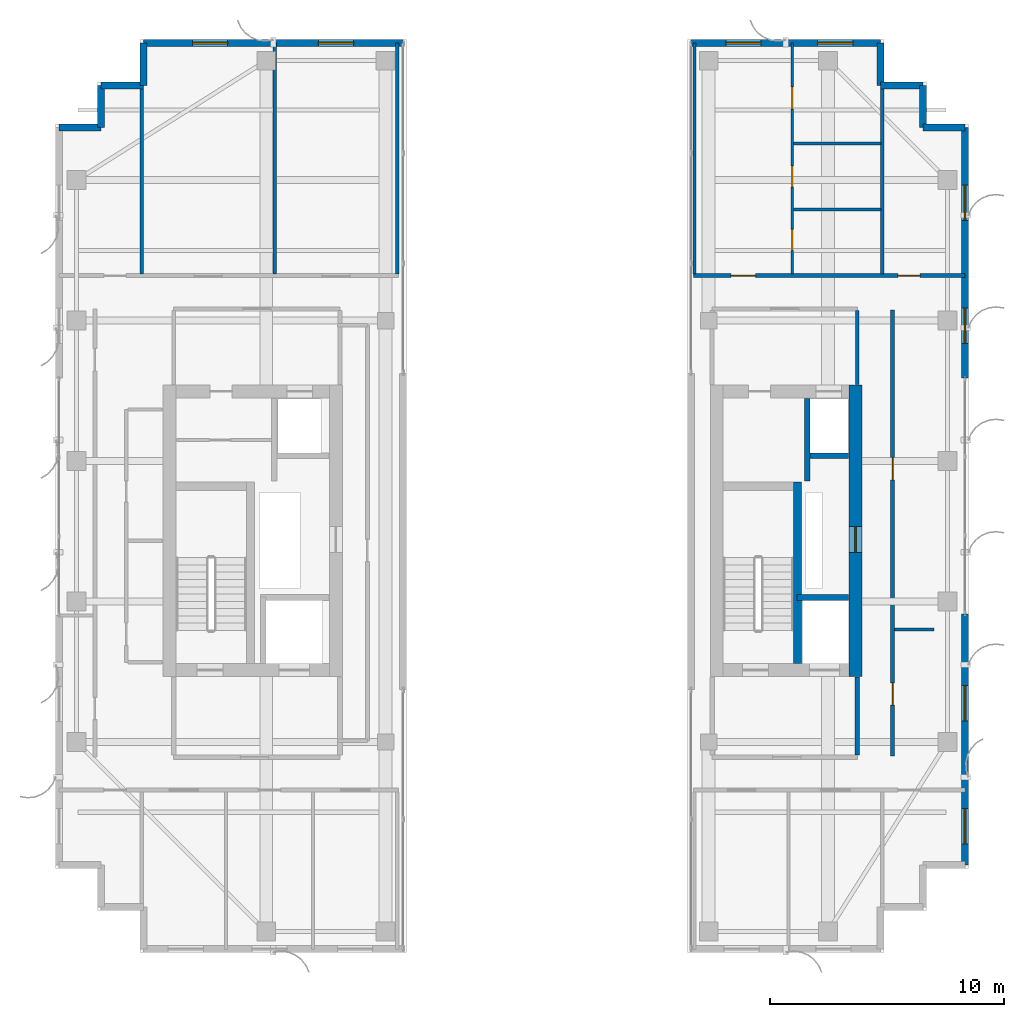
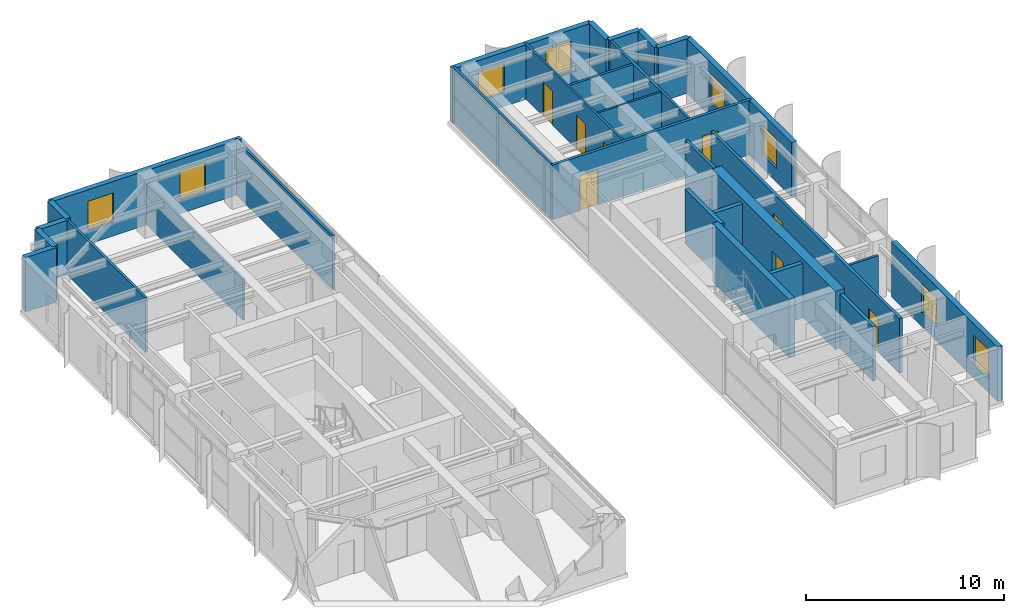
# One storey, part 20 of 24: 30 walls, 8 doors, 8 windows, 16 openings.
"""IFC4 building model written with IfcOpenShell, lengths in metres."""

import ifcopenshell
import ifcopenshell.guid

model = None  # the IFC model being written
_history = None  # IfcOwnerHistory: only IFC2X3 demands one
_inside = {}  # id of a spatial element -> (the spatial element, [elements in it])
_under = {}  # id of a project, library or spatial element -> (it, [spatial elements below it])
_declared = {}  # id of a project -> (the project, [libraries it declares])
_typed = {}  # id of a type object -> (the type object, [elements of that type])
_made_of = {}  # id of a material, layer set ... -> (it, [elements and type objects made of it])


def new_model(schema):
    """Start an empty IFC model of exactly this schema.

    Asked for "IFC4X3", IfcOpenShell would pick the latest addendum, in which some entities
    have other attributes; the version numbers below select the first issue.
    IFC2X3 requires an IfcOwnerHistory on every rooted entity: one is made here for all.
    """
    global model, _history
    if schema == "IFC4X3":
        model = ifcopenshell.file(schema_version=(4, 3, 0, 0))
    else:
        model = ifcopenshell.file(schema=schema)
    _inside.clear()
    _under.clear()
    _declared.clear()
    _typed.clear()
    _made_of.clear()
    _history = None
    if model.schema == "IFC2X3":
        org = make("IfcOrganization", Name="unknown")
        user = make(
            "IfcPersonAndOrganization",
            ThePerson=make("IfcPerson", FamilyName="unknown"),
            TheOrganization=org,
        )
        app = make(
            "IfcApplication",
            ApplicationDeveloper=org,
            Version="unknown",
            ApplicationFullName="unknown",
            ApplicationIdentifier="unknown",
        )
        _history = make(
            "IfcOwnerHistory",
            OwningUser=user,
            OwningApplication=app,
            ChangeAction="ADDED",
            CreationDate=0,
        )
    return model


def make(cls, **values):
    """One entity of the class cls with the attributes given. An attribute that is None is left unset."""
    return model.create_entity(
        cls, **{name: value for name, value in values.items() if value is not None}
    )


def rooted(cls, **values):
    """An entity with a GlobalId (a new one), such as an element, a storey or a relation."""
    return make(cls, GlobalId=ifcopenshell.guid.new(), OwnerHistory=_history, **values)


def si_unit(unit_type, name, prefix=None):
    """IfcSIUnit, for example si_unit("LENGTHUNIT", "METRE", prefix="MILLI")."""
    return make("IfcSIUnit", UnitType=unit_type, Prefix=prefix, Name=name)


def assignment(units):
    """IfcUnitAssignment: the units of a project."""
    return None if units is None else make("IfcUnitAssignment", Units=units)


def point(xyz):
    """IfcCartesianPoint."""
    return None if xyz is None else make("IfcCartesianPoint", Coordinates=xyz)


def direction(xyz):
    """IfcDirection."""
    return None if xyz is None else make("IfcDirection", DirectionRatios=xyz)


def frame(location, z_axis=None, x_axis=None):
    """IfcAxis2Placement3D, a coordinate frame: its origin and axes. An axis left out is left unset."""
    return make(
        "IfcAxis2Placement3D",
        Location=point(location),
        Axis=direction(z_axis),
        RefDirection=direction(x_axis),
    )


def frame_2d(location, x_axis=None):
    """IfcAxis2Placement2D, a coordinate frame in the plane: its origin and x axis."""
    return make(
        "IfcAxis2Placement2D", Location=point(location), RefDirection=direction(x_axis)
    )


def origin():
    """The frame at (0, 0, 0) with its axes left unset."""
    return frame((0.0, 0.0, 0.0))


def place(relative_to, where):
    """IfcLocalPlacement: puts the frame where relative to a parent placement (None: the world)."""
    return make(
        "IfcLocalPlacement", PlacementRelTo=relative_to, RelativePlacement=where
    )


def context(
    kind, dimensions, precision=None, world=None, true_north=None, identifier=None
):
    """IfcGeometricRepresentationContext, for example the 3D "Model" context."""
    return make(
        "IfcGeometricRepresentationContext",
        ContextIdentifier=identifier,
        ContextType=kind,
        CoordinateSpaceDimension=dimensions,
        Precision=precision,
        WorldCoordinateSystem=world,
        TrueNorth=true_north,
    )


def subcontext(parent, identifier, kind, view, scale=None):
    """IfcGeometricRepresentationSubContext, for example "Body" below "Model"."""
    return make(
        "IfcGeometricRepresentationSubContext",
        ContextIdentifier=identifier,
        ContextType=kind,
        ParentContext=parent,
        TargetScale=scale,
        TargetView=view,
    )


def project(units=None, contexts=None):
    """IfcProject with its units and contexts."""
    return rooted(
        "IfcProject",
        Name="project",
        RepresentationContexts=contexts,
        UnitsInContext=assignment(units),
    )


def spatial(cls, under=None, at=None, **own):
    """A site, building, storey or space (cls), placed at a placement, below another one or the project."""
    s = rooted(cls, ObjectPlacement=at, **own)
    if under is not None:
        _under.setdefault(under.id(), (under, []))[1].append(s)
    return s


def profile(cls, at=None, kind="AREA", **sizes):
    """A parametric profile (cls). Its sizes go by their IFC names, for example OverallWidth=200.0."""
    return make(cls, ProfileType=kind, Position=at, **sizes)


def rectangle(**sizes):
    """IfcRectangleProfileDef."""
    return profile("IfcRectangleProfileDef", **sizes)


def extrude(swept, where, along, depth):
    """IfcExtrudedAreaSolid: the profile swept, set in the frame where, extruded along a direction by depth."""
    return make(
        "IfcExtrudedAreaSolid",
        SweptArea=swept,
        Position=where,
        ExtrudedDirection=direction(along),
        Depth=depth,
    )


def shape(context_of_items, identifier, shape_type, items):
    """IfcShapeRepresentation: the items that make up one representation, for example the "Body"."""
    return make(
        "IfcShapeRepresentation",
        ContextOfItems=context_of_items,
        RepresentationIdentifier=identifier,
        RepresentationType=shape_type,
        Items=items,
    )


def source(mapping_origin, context_of_items, identifier, shape_type, items):
    """IfcRepresentationMap: a shape defined once, which mapped items show again and again."""
    return make(
        "IfcRepresentationMap",
        MappingOrigin=mapping_origin,
        MappedRepresentation=shape(context_of_items, identifier, shape_type, items),
    )


def transform(
    local_origin,
    x_axis=None,
    y_axis=None,
    z_axis=None,
    scale=None,
    scale2=None,
    scale3=None,
    uniform=True,
):
    """IfcCartesianTransformationOperator3D, or its non-uniform kind. x_axis, y_axis, z_axis: its Axis1, 2, 3."""
    if uniform:
        return make(
            "IfcCartesianTransformationOperator3D",
            Axis1=direction(x_axis),
            Axis2=direction(y_axis),
            LocalOrigin=point(local_origin),
            Scale=scale,
            Axis3=direction(z_axis),
        )
    return make(
        "IfcCartesianTransformationOperator3DnonUniform",
        Axis1=direction(x_axis),
        Axis2=direction(y_axis),
        LocalOrigin=point(local_origin),
        Scale=scale,
        Axis3=direction(z_axis),
        Scale2=scale2,
        Scale3=scale3,
    )


def mapped(mapping_source, mapping_target):
    """IfcMappedItem: shows the shape of a source again, moved by a transform."""
    return make(
        "IfcMappedItem", MappingSource=mapping_source, MappingTarget=mapping_target
    )


def material(Name=None, Category=None):
    """IfcMaterial."""
    return make("IfcMaterial", Name=Name, Category=Category)


def layer(
    of_material, thickness, ventilated=None, Name=None, Category=None, Priority=None
):
    """IfcMaterialLayer: one layer of a wall or slab, of a material (None: an air gap)."""
    return make(
        "IfcMaterialLayer",
        Material=of_material,
        LayerThickness=thickness,
        IsVentilated=ventilated,
        Name=Name,
        Category=Category,
        Priority=Priority,
    )


def layer_set(layers, Name=None):
    """IfcMaterialLayerSet."""
    return make("IfcMaterialLayerSet", MaterialLayers=layers, LayerSetName=Name)


def made_of(thing, what):
    """Note that an element or type object is made of a material, layer set ...; save() writes the relation."""
    if what is not None:
        _made_of.setdefault(what.id(), (what, []))[1].append(thing)
    return thing


def type_object(cls, material=None, **own):
    """A type object (cls), such as IfcWallType, which elements share."""
    return made_of(rooted(cls, **own), material)


def element(
    cls,
    number,
    at=None,
    inside=None,
    cuts=None,
    type_object=None,
    material=None,
    context=None,
    identifier="Body",
    shape_type=None,
    held_by="IfcProductDefinitionShape",
    body=None,
    shapes=None,
    **own,
):
    """One element of the class cls, such as IfcWall. Its Tag is "e" and its number.

    at: its placement. inside: the storey or other place that contains it. cuts: it is an
    opening in that element (IfcRelVoidsElement). A single representation is given by context,
    identifier, shape_type and body (its items); several are given by shapes. held_by: the class
    of the entity that holds the representations. save() writes the other relations.
    """
    e = rooted(cls, Tag="e%d" % number, ObjectPlacement=at, **own)
    if body is not None:
        shapes = [shape(context, identifier, shape_type, body)]
    if shapes is not None:
        e.Representation = make(held_by, Representations=shapes)
    if inside is not None:
        _inside.setdefault(inside.id(), (inside, []))[1].append(e)
    if cuts is not None:
        rooted(
            "IfcRelVoidsElement", RelatingBuildingElement=cuts, RelatedOpeningElement=e
        )
    if type_object is not None:
        _typed.setdefault(type_object.id(), (type_object, []))[1].append(e)
    return made_of(e, material)


def fill(opening, filler):
    """IfcRelFillsElement: the door or window that sits in an opening."""
    return rooted(
        "IfcRelFillsElement",
        RelatingOpeningElement=opening,
        RelatedBuildingElement=filler,
    )


def aggregate(whole, parts):
    """IfcRelAggregates: a whole, such as a stair, and the parts it consists of."""
    return rooted("IfcRelAggregates", RelatingObject=whole, RelatedObjects=parts)


def save(model, path):
    """Write the relations noted so far, then the file.

    IfcRelAggregates (storeys below a building ...), IfcRelContainedInSpatialStructure (elements
    in a storey), IfcRelDefinesByType, IfcRelAssociatesMaterial and IfcRelDeclares: one each for
    every whole, place, type object, material and project.
    """
    for whole, parts in _under.values():
        aggregate(whole, parts)
    for where, things in _inside.values():
        rooted(
            "IfcRelContainedInSpatialStructure",
            RelatedElements=things,
            RelatingStructure=where,
        )
    for kind, things in _typed.values():
        rooted("IfcRelDefinesByType", RelatedObjects=things, RelatingType=kind)
    for what, things in _made_of.values():
        rooted("IfcRelAssociatesMaterial", RelatedObjects=things, RelatingMaterial=what)
    for by, libraries in _declared.values():
        rooted("IfcRelDeclares", RelatingContext=by, RelatedDefinitions=libraries)
    model.write(path)


model = new_model("IFC4")

# Units and contexts
model_context = context("Model", 3, precision=1e-05, world=origin(), true_north=direction((0.0, 1.0)))
body_context = subcontext(model_context, "Body", "Model", "MODEL_VIEW")
ifc_project = project(units=[si_unit("LENGTHUNIT", "METRE"), si_unit("AREAUNIT", "SQUARE_METRE"), si_unit("VOLUMEUNIT", "CUBIC_METRE"), si_unit("PLANEANGLEUNIT", "RADIAN"), si_unit("MASSUNIT", "GRAM", prefix="KILO")], contexts=[model_context])

# Site, building, storey
site_placement = place(None, origin())
site = spatial("IfcSite", under=ifc_project, at=site_placement, CompositionType="ELEMENT")
building_placement = place(site_placement, origin())
building = spatial("IfcBuilding", under=site, at=building_placement, Name="Khoralis Quay Care Tower", CompositionType="ELEMENT")
storey_placement = place(building_placement, frame((0.0, 0.0, 249.300048828125)))
storey = spatial("IfcBuildingStorey", under=building, at=storey_placement, Name="L65", CompositionType="ELEMENT", Elevation=249.300048828125)

# Wall
ifc_material_1 = material(Name="Gypsum plasterboard on acoustic metal stud")
ifc_layer_1 = layer(ifc_material_1, 0.199951171875)
ifc_layer_set_1 = layer_set([ifc_layer_1], Name="Gypsum plasterboard on acoustic metal stud")
wall_type_1 = type_object("IfcWallType", Name="WL-COMP-200", PredefinedType="PARTITIONING", material=ifc_layer_set_1)
wall_1_placement = place(storey_placement, frame((37.25, 11.445068359375, 0.0), z_axis=(0.0, 0.0, 1.0), x_axis=(0.0, 1.0, 0.0)))
element("IfcWall", 1, at=wall_1_placement, inside=storey, type_object=wall_type_1, Name="L65 East Firefighting Lobby East Wall", PredefinedType="PARTITIONING", context=body_context, shape_type="SweptSolid", body=[
    extrude(rectangle(XDim=3.3349609375, YDim=0.199951171875, at=frame_2d((1.66748046875, 0.0))), origin(), (0.0, 0.0, 1.0), 3.35986328125),
])

# Wall, opening, door
ifc_material_2 = material(Name="Concrete C65/80", Category="concrete")
ifc_layer_2 = layer(ifc_material_2, 0.550048828125)
ifc_layer_set_2 = layer_set([ifc_layer_2], Name="Concrete C65/80")
wall_type_2 = type_object("IfcWallType", Name="WL-CORE-550", PredefinedType="SHEAR", material=ifc_layer_set_2)
wall_2_placement = place(storey_placement, frame((37.175048828125, 14.800048828125, 0.0), z_axis=(0.0, 0.0, 1.0), x_axis=(0.0, 1.0, 0.0)))
wall_2 = element("IfcWall", 2, at=wall_2_placement, inside=storey, type_object=wall_type_2, Name="L65 ECORE East Shear Wall", PredefinedType="SHEAR", context=body_context, shape_type="SweptSolid", body=[
    extrude(rectangle(XDim=12.449951171875, YDim=0.550048828125, at=frame_2d((6.22509765625, 0.0))), origin(), (0.0, 0.0, 1.0), 3.599853515625),
])
opening_1_placement = place(wall_2_placement, frame((5.300048828125, 0.0, 0.0)))
opening_1 = element("IfcOpeningElement", 3, at=opening_1_placement, cuts=wall_2, Name="Opening SD1", PredefinedType="OPENING", context=body_context, shape_type="SweptSolid", body=[
    extrude(rectangle(XDim=1.10009765625, YDim=2.199951171875, at=frame_2d((0.550048828125, 1.10009765625))), frame((0.0, 0.28515625, 0.0), z_axis=(0.0, -1.0, 0.0), x_axis=(1.0, 0.0, 0.0)), (0.0, 0.0, 1.0), 0.570068359375),
])
ifc_material_3 = material(Name="Fire-rated painted steel", Category="steel")
door_type_1 = type_object("IfcDoorType", Name="DR-STAIR-1100X2200", OperationType="NOTDEFINED", PredefinedType="DOOR", material=ifc_material_3)
shared_shape_1 = source(origin(), body_context, "Body", "SweptSolid", [
    extrude(rectangle(XDim=1.10009765625, YDim=2.199951171875, at=frame_2d((0.550048828125, 1.10009765625))), frame((0.0, 0.02490234375, 0.0), z_axis=(0.0, -1.0, 0.0), x_axis=(1.0, 0.0, 0.0)), (0.0, 0.0, 1.0), 0.050048828125),
])
door_1_placement = place(opening_1_placement, frame((1.10009765625, 0.0, 0.0), z_axis=(0.0, 0.0, 1.0), x_axis=(-1.0, 0.0, 0.0)))
door_1 = element("IfcDoor", 4, at=door_1_placement, inside=storey, type_object=door_type_1, Name="L65 East MEP Riser Door", OperationType="SINGLE_SWING_RIGHT", OverallHeight=2.199951171875, OverallWidth=1.10009765625, PredefinedType="DOOR", context=body_context, shape_type="MappedRepresentation", body=[
    mapped(shared_shape_1, transform((0.0, 0.0, 0.0), scale=1.0)),
])
fill(opening_1, door_1)

# Wall
ifc_layer_3 = layer(ifc_material_1, 0.1650390625)
ifc_layer_set_3 = layer_set([ifc_layer_3], Name="Gypsum plasterboard on acoustic metal stud")
wall_type_3 = type_object("IfcWallType", Name="WL-CORR-165", PredefinedType="PARTITIONING", material=ifc_layer_set_3)
wall_3_placement = place(storey_placement, frame((37.25, 27.27001953125, 0.0), z_axis=(0.0, 0.0, 1.0), x_axis=(0.0, 1.0, 0.0)))
element("IfcWall", 5, at=wall_3_placement, inside=storey, type_object=wall_type_3, Name="L65 East Lift Lobby East Wall", PredefinedType="PARTITIONING", context=body_context, shape_type="SweptSolid", body=[
    extrude(rectangle(XDim=3.152587890625, YDim=0.1650390625, at=frame_2d((1.576171875, 0.0))), origin(), (0.0, 0.0, 1.0), 3.35986328125),
])

# Wall, openings, doors
wall_4_placement = place(storey_placement, frame((30.25, 31.919921875, 0.0), z_axis=(0.0, 0.0, 1.0), x_axis=(1.0, 0.0, 0.0)))
wall_4 = element("IfcWall", 6, at=wall_4_placement, inside=storey, type_object=wall_type_3, Name="L65 East Wing North Corridor Wall", PredefinedType="PARTITIONING", context=body_context, shape_type="SweptSolid", body=[
    extrude(rectangle(XDim=11.60498046875, YDim=0.1650390625, at=frame_2d((5.802490234375, 0.0))), origin(), (0.0, 0.0, 1.0), 3.35986328125),
])
opening_2_placement = place(wall_4_placement, frame((1.610107421875, 0.0, 0.0)))
opening_2 = element("IfcOpeningElement", 7, at=opening_2_placement, cuts=wall_4, Name="Opening UD1", PredefinedType="OPENING", context=body_context, shape_type="SweptSolid", body=[
    extrude(rectangle(XDim=1.050048828125, YDim=2.14990234375, at=frame_2d((0.52490234375, 1.074951171875))), frame((0.0, 0.092529296875, 0.0), z_axis=(0.0, -1.0, 0.0), x_axis=(1.0, 0.0, 0.0)), (0.0, 0.0, 1.0), 0.18505859375),
])
opening_3_placement = place(wall_4_placement, frame((8.735107421875, 0.0, 0.0)))
opening_3 = element("IfcOpeningElement", 8, at=opening_3_placement, cuts=wall_4, Name="Opening ID1", PredefinedType="OPENING", context=body_context, shape_type="SweptSolid", body=[
    extrude(rectangle(XDim=0.949951171875, YDim=2.10009765625, at=frame_2d((0.47509765625, 1.050048828125))), frame((0.0, 0.092529296875, 0.0), z_axis=(0.0, -1.0, 0.0), x_axis=(1.0, 0.0, 0.0)), (0.0, 0.0, 1.0), 0.18505859375),
])
ifc_material_4 = material(Name="Acoustic hardwood timber", Category="wood")
door_type_2 = type_object("IfcDoorType", Name="DR-ROOM-950X2100", OperationType="NOTDEFINED", PredefinedType="DOOR", material=ifc_material_4)
shared_shape_2 = source(origin(), body_context, "Body", "SweptSolid", [
    extrude(rectangle(XDim=0.949951171875, YDim=2.10009765625, at=frame_2d((0.47509765625, 1.050048828125))), frame((0.0, 0.02490234375, 0.0), z_axis=(0.0, -1.0, 0.0), x_axis=(1.0, 0.0, 0.0)), (0.0, 0.0, 1.0), 0.050048828125),
])
door_2_placement = place(opening_3_placement, origin())
door_2 = element("IfcDoor", 9, at=door_2_placement, inside=storey, type_object=door_type_2, Name="L65 NE Corner Door", OperationType="SINGLE_SWING_LEFT", OverallHeight=2.10009765625, OverallWidth=0.949951171875, PredefinedType="DOOR", context=body_context, shape_type="MappedRepresentation", body=[
    mapped(shared_shape_2, transform((0.0, 0.0, 0.0), scale=1.0)),
])
fill(opening_3, door_2)
door_type_3 = type_object("IfcDoorType", Name="DR-SUITE-1050X2150", OperationType="NOTDEFINED", PredefinedType="DOOR", material=ifc_material_4)
shared_shape_3 = source(origin(), body_context, "Body", "SweptSolid", [
    extrude(rectangle(XDim=1.050048828125, YDim=2.14990234375, at=frame_2d((0.52490234375, 1.074951171875))), frame((0.0, 0.02490234375, 0.0), z_axis=(0.0, -1.0, 0.0), x_axis=(1.0, 0.0, 0.0)), (0.0, 0.0, 1.0), 0.050048828125),
])
door_3_placement = place(opening_2_placement, origin())
door_3 = element("IfcDoor", 10, at=door_3_placement, inside=storey, type_object=door_type_3, Name="L65 Apartment EN0 Entrance Door", OperationType="SINGLE_SWING_RIGHT", OverallHeight=2.14990234375, OverallWidth=1.050048828125, PredefinedType="DOOR", context=body_context, shape_type="MappedRepresentation", body=[
    mapped(shared_shape_3, transform((0.0, 0.0, 0.0), scale=1.0)),
])
fill(opening_2, door_3)

wall_5_placement = place(storey_placement, frame((38.760009765625, 11.39990234375, 0.0), z_axis=(0.0, 0.0, 1.0), x_axis=(0.0, 1.0, 0.0)))
wall_5 = element("IfcWall", 11, at=wall_5_placement, inside=storey, type_object=wall_type_3, Name="L65 East High-Rise Suite Wall", PredefinedType="PARTITIONING", context=body_context, shape_type="SweptSolid", body=[
    extrude(rectangle(XDim=19.050048828125, YDim=0.1650390625, at=frame_2d((9.52490234375, 0.0))), origin(), (0.0, 0.0, 1.0), 3.35986328125),
])
opening_4_placement = place(wall_5_placement, frame((2.175048828125, 0.0, 0.0)))
opening_4 = element("IfcOpeningElement", 12, at=opening_4_placement, cuts=wall_5, Name="Opening ID1", PredefinedType="OPENING", context=body_context, shape_type="SweptSolid", body=[
    extrude(rectangle(XDim=0.949951171875, YDim=2.10009765625, at=frame_2d((0.47509765625, 1.050048828125))), frame((0.0, 0.092529296875, 0.0), z_axis=(0.0, -1.0, 0.0), x_axis=(1.0, 0.0, 0.0)), (0.0, 0.0, 1.0), 0.18505859375),
])
opening_5_placement = place(wall_5_placement, frame((11.800048828125, 0.0, 0.0)))
opening_5 = element("IfcOpeningElement", 13, at=opening_5_placement, cuts=wall_5, Name="Opening ID1", PredefinedType="OPENING", context=body_context, shape_type="SweptSolid", body=[
    extrude(rectangle(XDim=0.949951171875, YDim=2.10009765625, at=frame_2d((0.47509765625, 1.050048828125))), frame((0.0, 0.092529296875, 0.0), z_axis=(0.0, -1.0, 0.0), x_axis=(1.0, 0.0, 0.0)), (0.0, 0.0, 1.0), 0.18505859375),
])
door_4_placement = place(opening_4_placement, origin())
door_4 = element("IfcDoor", 14, at=door_4_placement, inside=storey, type_object=door_type_2, Name="L65 East High-Rise Rehab Clinic Door", OperationType="SINGLE_SWING_LEFT", OverallHeight=2.10009765625, OverallWidth=0.949951171875, PredefinedType="DOOR", context=body_context, shape_type="MappedRepresentation", body=[
    mapped(shared_shape_2, transform((0.0, 0.0, 0.0), scale=1.0)),
])
fill(opening_4, door_4)
door_5_placement = place(opening_5_placement, origin())
door_5 = element("IfcDoor", 15, at=door_5_placement, inside=storey, type_object=door_type_2, Name="L65 East High-Rise Care Office Door", OperationType="SINGLE_SWING_RIGHT", OverallHeight=2.10009765625, OverallWidth=0.949951171875, PredefinedType="DOOR", context=body_context, shape_type="MappedRepresentation", body=[
    mapped(shared_shape_2, transform((0.0, 0.0, 0.0), scale=1.0)),
])
fill(opening_5, door_5)

# Wall, openings, windows
ifc_material_5 = material(Name="Precast concrete C45/55", Category="concrete")
ifc_layer_4 = layer(ifc_material_5, 0.300048828125)
ifc_layer_set_4 = layer_set([ifc_layer_4], Name="Precast concrete C45/55")
wall_type_4 = type_object("IfcWallType", Name="WL-EXT-REF-300", PredefinedType="SOLIDWALL", material=ifc_layer_set_4)
wall_6_placement = place(storey_placement, frame((17.85009765625, 41.85009765625, 0.0), z_axis=(0.0, 0.0, 1.0), x_axis=(-1.0, 0.0, 0.0)))
wall_6 = element("IfcWall", 16, at=wall_6_placement, inside=storey, type_object=wall_type_4, Name="L65 External Facade Wall WL-EXT-L65-P1-E2", PredefinedType="SOLIDWALL", context=body_context, shape_type="SweptSolid", body=[
    extrude(rectangle(XDim=11.10009765625, YDim=0.300048828125, at=frame_2d((5.550048828125, 0.0))), origin(), (0.0, 0.0, 1.0), 3.35986328125),
])
opening_6_placement = place(wall_6_placement, frame((2.1201171875, 0.0, 0.85009765625)))
opening_6 = element("IfcOpeningElement", 17, at=opening_6_placement, cuts=wall_6, Name="Opening W3", PredefinedType="OPENING", context=body_context, shape_type="SweptSolid", body=[
    extrude(rectangle(XDim=1.5, YDim=1.800048828125, at=frame_2d((0.75, 0.89990234375))), frame((0.0, 0.16015625, 0.0), z_axis=(0.0, -1.0, 0.0), x_axis=(1.0, 0.0, 0.0)), (0.0, 0.0, 1.0), 0.320068359375),
])
opening_7_placement = place(wall_6_placement, frame((7.4951171875, 0.0, 0.85009765625)))
opening_7 = element("IfcOpeningElement", 18, at=opening_7_placement, cuts=wall_6, Name="Opening W3", PredefinedType="OPENING", context=body_context, shape_type="SweptSolid", body=[
    extrude(rectangle(XDim=1.5, YDim=1.800048828125, at=frame_2d((0.75, 0.89990234375))), frame((0.0, 0.16015625, 0.0), z_axis=(0.0, -1.0, 0.0), x_axis=(1.0, 0.0, 0.0)), (0.0, 0.0, 1.0), 0.320068359375),
])
ifc_material_6 = material(Name="Low-E solar-control double glazing", Category="glass")
window_type = type_object("IfcWindowType", Name="WN-CLIN-1500X1800", PartitioningType="SINGLE_PANEL", PredefinedType="WINDOW", material=ifc_material_6)
shared_shape_4 = source(origin(), body_context, "Body", "SweptSolid", [
    extrude(rectangle(XDim=1.5, YDim=1.800048828125, at=frame_2d((0.75, 0.89990234375))), frame((0.0, 0.030029296875, 0.0), z_axis=(0.0, -1.0, 0.0), x_axis=(1.0, 0.0, 0.0)), (0.0, 0.0, 1.0), 0.06005859375),
])
window_1_placement = place(opening_6_placement, origin())
window_1 = element("IfcWindow", 19, at=window_1_placement, inside=storey, type_object=window_type, Name="WN-L65-P1-E2 Facade Window 01", OverallHeight=1.800048828125, OverallWidth=1.5, PartitioningType="SINGLE_PANEL", PredefinedType="WINDOW", context=body_context, shape_type="MappedRepresentation", body=[
    mapped(shared_shape_4, transform((0.0, 0.0, 0.0), scale=1.0)),
])
fill(opening_6, window_1)
window_2_placement = place(opening_7_placement, origin())
window_2 = element("IfcWindow", 20, at=window_2_placement, inside=storey, type_object=window_type, Name="WN-L65-P1-E2 Facade Window 02", OverallHeight=1.800048828125, OverallWidth=1.5, PartitioningType="SINGLE_PANEL", PredefinedType="WINDOW", context=body_context, shape_type="MappedRepresentation", body=[
    mapped(shared_shape_4, transform((0.0, 0.0, 0.0), scale=1.0)),
])
fill(opening_7, window_2)

# Walls
for number, where, z_axis, x_axis, name in (
    (21, (6.75, 41.85009765625, 0.0), (0.0, 0.0, 1.0), (0.0, -1.0, 0.0), "L65 External Facade Wall WL-EXT-L65-P1-C3"),
    (22, (6.75, 40.050048828125, 0.0), (0.0, 0.0, 1.0), (-1.0, 0.0, 0.0), "L65 External Facade Wall WL-EXT-L65-P1-C4"),
    (23, (4.949951171875, 40.050048828125, 0.0), (0.0, 0.0, 1.0), (0.0, -1.0, 0.0), "L65 External Facade Wall WL-EXT-L65-P1-C5"),
    (24, (4.949951171875, 38.25, 0.0), (0.0, 0.0, 1.0), (-1.0, 0.0, 0.0), "L65 External Facade Wall WL-EXT-L65-P1-C6"),
):
    element("IfcWall", number, at=place(storey_placement, frame(where, z_axis=z_axis, x_axis=x_axis)), inside=storey, type_object=wall_type_4, Name=name, PredefinedType="SOLIDWALL", context=body_context, shape_type="SweptSolid", body=[
        extrude(rectangle(XDim=1.800048828125, YDim=0.300048828125, at=frame_2d((0.89990234375, 0.0))), origin(), (0.0, 0.0, 1.0), 3.35986328125),
    ])

# Wall, openings, windows
wall_7_placement = place(storey_placement, frame((41.85009765625, 6.75, 0.0), z_axis=(0.0, 0.0, 1.0), x_axis=(0.0, 1.0, 0.0)))
wall_7 = element("IfcWall", 25, at=wall_7_placement, inside=storey, type_object=wall_type_4, Name="L65 External Facade Wall WL-EXT-L65-P2-E5A", PredefinedType="SOLIDWALL", context=body_context, shape_type="SweptSolid", body=[
    extrude(rectangle(XDim=10.7099609375, YDim=0.300048828125, at=frame_2d((5.35498046875, 0.0))), origin(), (0.0, 0.0, 1.0), 3.35986328125),
])
opening_8_placement = place(wall_7_placement, frame((0.89990234375, 0.0, 0.85009765625)))
opening_8 = element("IfcOpeningElement", 26, at=opening_8_placement, cuts=wall_7, Name="Opening W3", PredefinedType="OPENING", context=body_context, shape_type="SweptSolid", body=[
    extrude(rectangle(XDim=1.5, YDim=1.800048828125, at=frame_2d((0.75, 0.89990234375))), frame((0.0, 0.16015625, 0.0), z_axis=(0.0, -1.0, 0.0), x_axis=(1.0, 0.0, 0.0)), (0.0, 0.0, 1.0), 0.320068359375),
])
opening_9_placement = place(wall_7_placement, frame((6.155029296875, 0.0, 0.85009765625)))
opening_9 = element("IfcOpeningElement", 27, at=opening_9_placement, cuts=wall_7, Name="Opening W3", PredefinedType="OPENING", context=body_context, shape_type="SweptSolid", body=[
    extrude(rectangle(XDim=1.5, YDim=1.800048828125, at=frame_2d((0.75, 0.89990234375))), frame((0.0, 0.16015625, 0.0), z_axis=(0.0, -1.0, 0.0), x_axis=(1.0, 0.0, 0.0)), (0.0, 0.0, 1.0), 0.320068359375),
])
window_3_placement = place(opening_8_placement, origin())
window_3 = element("IfcWindow", 28, at=window_3_placement, inside=storey, type_object=window_type, Name="WN-L65-P2-E5A Facade Window 01", OverallHeight=1.800048828125, OverallWidth=1.5, PartitioningType="SINGLE_PANEL", PredefinedType="WINDOW", context=body_context, shape_type="MappedRepresentation", body=[
    mapped(shared_shape_4, transform((0.0, 0.0, 0.0), scale=1.0)),
])
fill(opening_8, window_3)
window_4_placement = place(opening_9_placement, origin())
window_4 = element("IfcWindow", 29, at=window_4_placement, inside=storey, type_object=window_type, Name="WN-L65-P2-E5A Facade Window 02", OverallHeight=1.800048828125, OverallWidth=1.5, PartitioningType="SINGLE_PANEL", PredefinedType="WINDOW", context=body_context, shape_type="MappedRepresentation", body=[
    mapped(shared_shape_4, transform((0.0, 0.0, 0.0), scale=1.0)),
])
fill(opening_9, window_4)

wall_8_placement = place(storey_placement, frame((41.85009765625, 27.5400390625, 0.0), z_axis=(0.0, 0.0, 1.0), x_axis=(0.0, 1.0, 0.0)))
wall_8 = element("IfcWall", 30, at=wall_8_placement, inside=storey, type_object=wall_type_4, Name="L65 External Facade Wall WL-EXT-L65-P2-E5B", PredefinedType="SOLIDWALL", context=body_context, shape_type="SweptSolid", body=[
    extrude(rectangle(XDim=10.7099609375, YDim=0.300048828125, at=frame_2d((5.35498046875, 0.0))), origin(), (0.0, 0.0, 1.0), 3.35986328125),
])
opening_10_placement = place(wall_8_placement, frame((1.489990234375, 0.0, 0.85009765625)))
opening_10 = element("IfcOpeningElement", 31, at=opening_10_placement, cuts=wall_8, Name="Opening W3", PredefinedType="OPENING", context=body_context, shape_type="SweptSolid", body=[
    extrude(rectangle(XDim=1.5, YDim=1.800048828125, at=frame_2d((0.75, 0.89990234375))), frame((0.0, 0.16015625, 0.0), z_axis=(0.0, -1.0, 0.0), x_axis=(1.0, 0.0, 0.0)), (0.0, 0.0, 1.0), 0.320068359375),
])
opening_11_placement = place(wall_8_placement, frame((6.7451171875, 0.0, 0.85009765625)))
opening_11 = element("IfcOpeningElement", 32, at=opening_11_placement, cuts=wall_8, Name="Opening W3", PredefinedType="OPENING", context=body_context, shape_type="SweptSolid", body=[
    extrude(rectangle(XDim=1.5, YDim=1.800048828125, at=frame_2d((0.75, 0.89990234375))), frame((0.0, 0.16015625, 0.0), z_axis=(0.0, -1.0, 0.0), x_axis=(1.0, 0.0, 0.0)), (0.0, 0.0, 1.0), 0.320068359375),
])
window_5_placement = place(opening_10_placement, origin())
window_5 = element("IfcWindow", 33, at=window_5_placement, inside=storey, type_object=window_type, Name="WN-L65-P2-E5B Facade Window 01", OverallHeight=1.800048828125, OverallWidth=1.5, PartitioningType="SINGLE_PANEL", PredefinedType="WINDOW", context=body_context, shape_type="MappedRepresentation", body=[
    mapped(shared_shape_4, transform((0.0, 0.0, 0.0), scale=1.0)),
])
fill(opening_10, window_5)
window_6_placement = place(opening_11_placement, origin())
window_6 = element("IfcWindow", 34, at=window_6_placement, inside=storey, type_object=window_type, Name="WN-L65-P2-E5B Facade Window 02", OverallHeight=1.800048828125, OverallWidth=1.5, PartitioningType="SINGLE_PANEL", PredefinedType="WINDOW", context=body_context, shape_type="MappedRepresentation", body=[
    mapped(shared_shape_4, transform((0.0, 0.0, 0.0), scale=1.0)),
])
fill(opening_11, window_6)

# Walls
for number, where, z_axis, x_axis, name in (
    (35, (41.85009765625, 38.25, 0.0), (0.0, 0.0, 1.0), (-1.0, 0.0, 0.0), "L65 External Facade Wall WL-EXT-L65-P2-C6"),
    (36, (40.050048828125, 38.25, 0.0), (0.0, 0.0, 1.0), (0.0, 1.0, 0.0), "L65 External Facade Wall WL-EXT-L65-P2-C7"),
    (37, (40.050048828125, 40.050048828125, 0.0), (0.0, 0.0, 1.0), (-1.0, 0.0, 0.0), "L65 External Facade Wall WL-EXT-L65-P2-C8"),
    (38, (38.25, 40.050048828125, 0.0), (0.0, 0.0, 1.0), (0.0, 1.0, 0.0), "L65 External Facade Wall WL-EXT-L65-P2-C9"),
):
    element("IfcWall", number, at=place(storey_placement, frame(where, z_axis=z_axis, x_axis=x_axis)), inside=storey, type_object=wall_type_4, Name=name, PredefinedType="SOLIDWALL", context=body_context, shape_type="SweptSolid", body=[
        extrude(rectangle(XDim=1.800048828125, YDim=0.300048828125, at=frame_2d((0.89990234375, 0.0))), origin(), (0.0, 0.0, 1.0), 3.35986328125),
    ])

# Wall, openings, windows
wall_9_placement = place(storey_placement, frame((38.25, 41.85009765625, 0.0), z_axis=(0.0, 0.0, 1.0), x_axis=(-1.0, 0.0, 0.0)))
wall_9 = element("IfcWall", 39, at=wall_9_placement, inside=storey, type_object=wall_type_4, Name="L65 External Facade Wall WL-EXT-L65-P2-E10", PredefinedType="SOLIDWALL", context=body_context, shape_type="SweptSolid", body=[
    extrude(rectangle(XDim=8.10009765625, YDim=0.300048828125, at=frame_2d((4.050048828125, 0.0))), origin(), (0.0, 0.0, 1.0), 3.35986328125),
])
opening_12_placement = place(wall_9_placement, frame((1.18994140625, 0.0, 0.85009765625)))
opening_12 = element("IfcOpeningElement", 40, at=opening_12_placement, cuts=wall_9, Name="Opening W3", PredefinedType="OPENING", context=body_context, shape_type="SweptSolid", body=[
    extrude(rectangle(XDim=1.5, YDim=1.800048828125, at=frame_2d((0.75, 0.89990234375))), frame((0.0, 0.16015625, 0.0), z_axis=(0.0, -1.0, 0.0), x_axis=(1.0, 0.0, 0.0)), (0.0, 0.0, 1.0), 0.320068359375),
])
opening_13_placement = place(wall_9_placement, frame((5.114990234375, 0.0, 0.85009765625)))
opening_13 = element("IfcOpeningElement", 41, at=opening_13_placement, cuts=wall_9, Name="Opening W3", PredefinedType="OPENING", context=body_context, shape_type="SweptSolid", body=[
    extrude(rectangle(XDim=1.5, YDim=1.800048828125, at=frame_2d((0.75, 0.89990234375))), frame((0.0, 0.16015625, 0.0), z_axis=(0.0, -1.0, 0.0), x_axis=(1.0, 0.0, 0.0)), (0.0, 0.0, 1.0), 0.320068359375),
])
window_7_placement = place(opening_12_placement, origin())
window_7 = element("IfcWindow", 42, at=window_7_placement, inside=storey, type_object=window_type, Name="WN-L65-P2-E10 Facade Window 01", OverallHeight=1.800048828125, OverallWidth=1.5, PartitioningType="SINGLE_PANEL", PredefinedType="WINDOW", context=body_context, shape_type="MappedRepresentation", body=[
    mapped(shared_shape_4, transform((0.0, 0.0, 0.0), scale=1.0)),
])
fill(opening_12, window_7)
window_8_placement = place(opening_13_placement, origin())
window_8 = element("IfcWindow", 43, at=window_8_placement, inside=storey, type_object=window_type, Name="WN-L65-P2-E10 Facade Window 02", OverallHeight=1.800048828125, OverallWidth=1.5, PartitioningType="SINGLE_PANEL", PredefinedType="WINDOW", context=body_context, shape_type="MappedRepresentation", body=[
    mapped(shared_shape_4, transform((0.0, 0.0, 0.0), scale=1.0)),
])
fill(opening_13, window_8)

# Wall, openings, doors
ifc_layer_5 = layer(ifc_material_1, 0.114990234375)
ifc_layer_set_5 = layer_set([ifc_layer_5], Name="Gypsum plasterboard on acoustic metal stud")
wall_type_5 = type_object("IfcWallType", Name="WL-PART-115", PredefinedType="PARTITIONING", material=ifc_layer_set_5)
wall_10_placement = place(storey_placement, frame((34.469970703125, 31.99755859375, 0.0), z_axis=(0.0, 0.0, 1.0), x_axis=(0.0, 1.0, 0.0)))
wall_10 = element("IfcWall", 44, at=wall_10_placement, inside=storey, type_object=wall_type_5, Name="L65 Unit 0 Internal Wall", PredefinedType="PARTITIONING", context=body_context, shape_type="SweptSolid", body=[
    extrude(rectangle(XDim=9.857421875, YDim=0.114990234375, at=frame_2d((4.9287109375, 0.0))), origin(), (0.0, 0.0, 1.0), 3.35986328125),
])
opening_14_placement = place(wall_10_placement, frame((7.034912109375, 0.0, 0.0)))
opening_14 = element("IfcOpeningElement", 45, at=opening_14_placement, cuts=wall_10, Name="Opening ID1", PredefinedType="OPENING", context=body_context, shape_type="SweptSolid", body=[
    extrude(rectangle(XDim=0.949951171875, YDim=2.10009765625, at=frame_2d((0.47509765625, 1.050048828125))), frame((0.0, 0.0673828125, 0.0), z_axis=(0.0, -1.0, 0.0), x_axis=(1.0, 0.0, 0.0)), (0.0, 0.0, 1.0), 0.135009765625),
])
opening_15_placement = place(wall_10_placement, frame((3.7060546875, 0.0, 0.0)))
opening_15 = element("IfcOpeningElement", 46, at=opening_15_placement, cuts=wall_10, Name="Opening WD1", PredefinedType="OPENING", context=body_context, shape_type="SweptSolid", body=[
    extrude(rectangle(XDim=0.89990234375, YDim=2.10009765625, at=frame_2d((0.449951171875, 1.050048828125))), frame((0.0, 0.0673828125, 0.0), z_axis=(0.0, -1.0, 0.0), x_axis=(1.0, 0.0, 0.0)), (0.0, 0.0, 1.0), 0.135009765625),
])
opening_16_placement = place(wall_10_placement, frame((0.99853515625, 0.0, 0.0)))
opening_16 = element("IfcOpeningElement", 47, at=opening_16_placement, cuts=wall_10, Name="Opening WD1", PredefinedType="OPENING", context=body_context, shape_type="SweptSolid", body=[
    extrude(rectangle(XDim=0.89990234375, YDim=2.10009765625, at=frame_2d((0.449951171875, 1.050048828125))), frame((0.0, 0.0673828125, 0.0), z_axis=(0.0, -1.0, 0.0), x_axis=(1.0, 0.0, 0.0)), (0.0, 0.0, 1.0), 0.135009765625),
])
door_type_4 = type_object("IfcDoorType", Name="DR-BATH-900X2100", OperationType="NOTDEFINED", PredefinedType="DOOR", material=ifc_material_4)
shared_shape_5 = source(origin(), body_context, "Body", "SweptSolid", [
    extrude(rectangle(XDim=0.89990234375, YDim=2.10009765625, at=frame_2d((0.449951171875, 1.050048828125))), frame((0.0, 0.02490234375, 0.0), z_axis=(0.0, -1.0, 0.0), x_axis=(1.0, 0.0, 0.0)), (0.0, 0.0, 1.0), 0.050048828125),
])
door_6_placement = place(opening_15_placement, frame((0.89990234375, 0.0, 0.0), z_axis=(0.0, 0.0, 1.0), x_axis=(-1.0, 0.0, 0.0)))
door_6 = element("IfcDoor", 48, at=door_6_placement, inside=storey, type_object=door_type_4, Name="L65 Apartment EN0 KIT Door", OperationType="SINGLE_SWING_RIGHT", OverallHeight=2.10009765625, OverallWidth=0.89990234375, PredefinedType="DOOR", context=body_context, shape_type="MappedRepresentation", body=[
    mapped(shared_shape_5, transform((0.0, 0.0, 0.0), scale=1.0)),
])
fill(opening_15, door_6)
door_7_placement = place(opening_16_placement, frame((0.89990234375, 0.0, 0.0), z_axis=(0.0, 0.0, 1.0), x_axis=(-1.0, 0.0, 0.0)))
door_7 = element("IfcDoor", 49, at=door_7_placement, inside=storey, type_object=door_type_4, Name="L65 Apartment EN0 BTH Door", OperationType="SINGLE_SWING_LEFT", OverallHeight=2.10009765625, OverallWidth=0.89990234375, PredefinedType="DOOR", context=body_context, shape_type="MappedRepresentation", body=[
    mapped(shared_shape_5, transform((0.0, 0.0, 0.0), scale=1.0)),
])
fill(opening_16, door_7)
door_8_placement = place(opening_14_placement, frame((0.949951171875, 0.0, 0.0), z_axis=(0.0, 0.0, 1.0), x_axis=(-1.0, 0.0, 0.0)))
door_8 = element("IfcDoor", 50, at=door_8_placement, inside=storey, type_object=door_type_2, Name="L65 Apartment EN0 BED Door", OperationType="SINGLE_SWING_LEFT", OverallHeight=2.10009765625, OverallWidth=0.949951171875, PredefinedType="DOOR", context=body_context, shape_type="MappedRepresentation", body=[
    mapped(shared_shape_2, transform((0.0, 0.0, 0.0), scale=1.0)),
])
fill(opening_14, door_8)

# Walls
wall_11_placement = place(storey_placement, frame((34.5224609375, 34.741943359375, 0.0), z_axis=(0.0, 0.0, 1.0), x_axis=(1.0, 0.0, 0.0)))
element("IfcWall", 51, at=wall_11_placement, inside=storey, type_object=wall_type_5, Name="L65 Unit 0 Kitchen Wall", PredefinedType="PARTITIONING", context=body_context, shape_type="SweptSolid", body=[
    extrude(rectangle(XDim=3.732421875, YDim=0.114990234375, at=frame_2d((1.8662109375, 0.0))), origin(), (0.0, 0.0, 1.0), 3.35986328125),
])
ifc_material_7 = material(Name="Moisture-resistant gypsum and ceramic tile")
ifc_layer_6 = layer(ifc_material_7, 0.280029296875)
ifc_layer_set_6 = layer_set([ifc_layer_6], Name="Moisture-resistant gypsum and ceramic tile")
wall_type_6 = type_object("IfcWallType", Name="WL-PLUMB-280", PredefinedType="PLUMBINGWALL", material=ifc_layer_set_6)
wall_12_placement = place(storey_placement, frame((34.5224609375, 37.56494140625, 0.0), z_axis=(0.0, 0.0, 1.0), x_axis=(1.0, 0.0, 0.0)))
element("IfcWall", 52, at=wall_12_placement, inside=storey, type_object=wall_type_6, Name="L65 Unit 0 Wet Wall", PredefinedType="PLUMBINGWALL", context=body_context, shape_type="SweptSolid", body=[
    extrude(rectangle(XDim=3.732421875, YDim=0.139892578125, at=frame_2d((1.8662109375, 0.0))), origin(), (0.0, 0.0, 1.0), 3.35986328125),
])
ifc_material_8 = material(Name="Concrete C40/50", Category="concrete")
ifc_layer_7 = layer(ifc_material_8, 0.35009765625)
ifc_layer_set_7 = layer_set([ifc_layer_7], Name="Concrete C40/50")
wall_type_7 = type_object("IfcWallType", Name="WL-SC-CORE-350", PredefinedType="SHEAR", material=ifc_layer_set_7)
wall_13_placement = place(storey_placement, frame((34.695068359375, 15.35009765625, 0.0), z_axis=(0.0, 0.0, 1.0), x_axis=(0.0, 1.0, 0.0)))
element("IfcWall", 53, at=wall_13_placement, inside=storey, type_object=wall_type_7, Name="L65 Stair ST-T2 Shear Baffle Wall East", PredefinedType="SHEAR", context=body_context, shape_type="SweptSolid", body=[
    extrude(rectangle(XDim=7.75, YDim=0.35009765625, at=frame_2d((3.875, 0.0))), origin(), (0.0, 0.0, 1.0), 3.599853515625),
])
ifc_layer_8 = layer(ifc_material_1, 0.239990234375)
ifc_layer_set_8 = layer_set([ifc_layer_8], Name="Gypsum plasterboard on acoustic metal stud")
wall_type_8 = type_object("IfcWallType", Name="WL-SHAFT-240", PredefinedType="PARTITIONING", material=ifc_layer_set_8)
wall_14_placement = place(storey_placement, frame((34.679931640625, 18.169921875, 0.0), z_axis=(0.0, 0.0, 1.0), x_axis=(1.0, 0.0, 0.0)))
element("IfcWall", 54, at=wall_14_placement, inside=storey, type_object=wall_type_8, Name="L65 FFL-2 Shaft Wall North", PredefinedType="PARTITIONING", context=body_context, shape_type="SweptSolid", body=[
    extrude(rectangle(XDim=2.199951171875, YDim=0.239990234375, at=frame_2d((1.10009765625, 0.0))), origin(), (0.0, 0.0, 1.0), 3.35986328125),
])
wall_15_placement = place(storey_placement, frame((35.110107421875, 23.139892578125, 0.0), z_axis=(0.0, 0.0, 1.0), x_axis=(0.0, 1.0, 0.0)))
element("IfcWall", 55, at=wall_15_placement, inside=storey, type_object=wall_type_8, Name="L65 High-Rise Reclaimed Bay Wall East", PredefinedType="PARTITIONING", context=body_context, shape_type="SweptSolid", body=[
    extrude(rectangle(XDim=3.5400390625, YDim=0.239990234375, at=frame_2d((1.77001953125, 0.0))), origin(), (0.0, 0.0, 1.0), 3.35986328125),
])
wall_16_placement = place(storey_placement, frame((35.22509765625, 24.22998046875, 0.0), z_axis=(0.0, 0.0, 1.0), x_axis=(1.0, 0.0, 0.0)))
element("IfcWall", 56, at=wall_16_placement, inside=storey, type_object=wall_type_8, Name="L65 High-Rise Shaft South Wall East", PredefinedType="PARTITIONING", context=body_context, shape_type="SweptSolid", body=[
    extrude(rectangle(XDim=1.65478515625, YDim=0.239990234375, at=frame_2d((0.827392578125, 0.0))), origin(), (0.0, 0.0, 1.0), 3.35986328125),
])
ifc_layer_9 = layer(ifc_material_1, 0.139892578125)
ifc_layer_set_9 = layer_set([ifc_layer_9], Name="Gypsum plasterboard on acoustic metal stud")
wall_type_9 = type_object("IfcWallType", Name="WL-UNIT-140", PredefinedType="PARTITIONING", material=ifc_layer_set_9)
wall_17_placement = place(storey_placement, frame((38.83740234375, 16.800048828125, 0.0), z_axis=(0.0, 0.0, 1.0), x_axis=(1.0, 0.0, 0.0)))
element("IfcWall", 57, at=wall_17_placement, inside=storey, type_object=wall_type_9, Name="L65 East High-Rise Split", PredefinedType="PARTITIONING", context=body_context, shape_type="SweptSolid", body=[
    extrude(rectangle(XDim=1.6826171875, YDim=0.139892578125, at=frame_2d((0.84130859375, 0.0))), origin(), (0.0, 0.0, 1.0), 3.35986328125),
])
wall_18_placement = place(storey_placement, frame((6.679931640625, 31.99755859375, 0.0), z_axis=(0.0, 0.0, 1.0), x_axis=(0.0, 1.0, 0.0)))
element("IfcWall", 58, at=wall_18_placement, inside=storey, type_object=wall_type_9, Name="L65 WN Demising Wall 0", PredefinedType="PARTITIONING", context=body_context, shape_type="SweptSolid", body=[
    extrude(rectangle(XDim=8.057373046875, YDim=0.139892578125, at=frame_2d((4.02880859375, 0.0))), origin(), (0.0, 0.0, 1.0), 3.35986328125),
])
wall_19_placement = place(storey_placement, frame((12.360107421875, 31.99755859375, 0.0), z_axis=(0.0, 0.0, 1.0), x_axis=(0.0, 1.0, 0.0)))
element("IfcWall", 59, at=wall_19_placement, inside=storey, type_object=wall_type_9, Name="L65 WN Demising Wall 1", PredefinedType="PARTITIONING", context=body_context, shape_type="SweptSolid", body=[
    extrude(rectangle(XDim=9.857421875, YDim=0.139892578125, at=frame_2d((4.9287109375, 0.0))), origin(), (0.0, 0.0, 1.0), 2.510009765625),
])
for number, where, z_axis, x_axis, name in (
    (60, (17.60009765625, 31.99755859375, 0.0), (0.0, 0.0, 1.0), (0.0, 1.0, 0.0), "L65 WN Demising Wall 2"),
    (61, (30.300048828125, 31.99755859375, 0.0), (0.0, 0.0, 1.0), (0.0, 1.0, 0.0), "L65 EN Demising Wall 0"),
):
    element("IfcWall", number, at=place(storey_placement, frame(where, z_axis=z_axis, x_axis=x_axis)), inside=storey, type_object=wall_type_9, Name=name, PredefinedType="PARTITIONING", context=body_context, shape_type="SweptSolid", body=[
        extrude(rectangle(XDim=9.857421875, YDim=0.139892578125, at=frame_2d((4.9287109375, 0.0))), origin(), (0.0, 0.0, 1.0), 3.35986328125),
    ])
wall_20_placement = place(storey_placement, frame((38.320068359375, 31.99755859375, 0.0), z_axis=(0.0, 0.0, 1.0), x_axis=(0.0, 1.0, 0.0)))
element("IfcWall", 62, at=wall_20_placement, inside=storey, type_object=wall_type_9, Name="L65 EN Demising Wall 1", PredefinedType="PARTITIONING", context=body_context, shape_type="SweptSolid", body=[
    extrude(rectangle(XDim=8.057373046875, YDim=0.139892578125, at=frame_2d((4.02880859375, 0.0))), origin(), (0.0, 0.0, 1.0), 3.35986328125),
])

save(model, "model.ifc")
